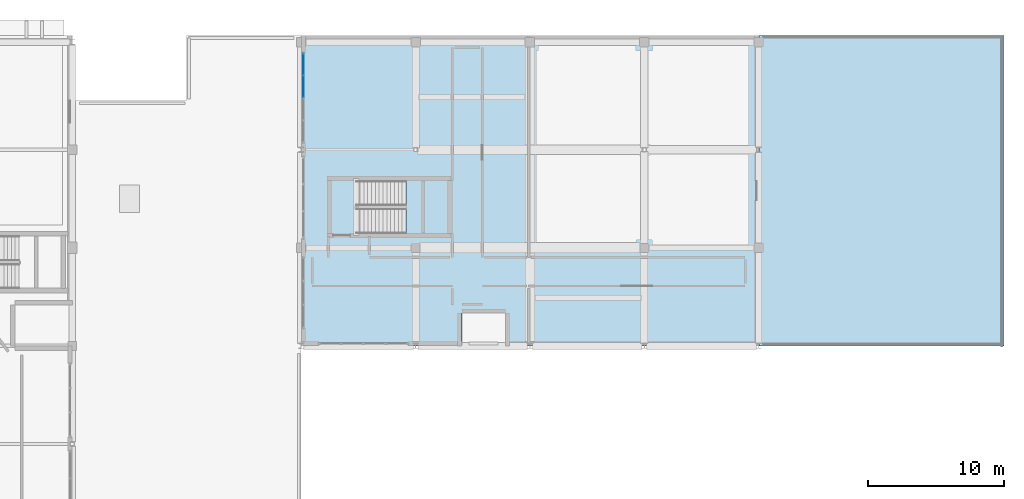
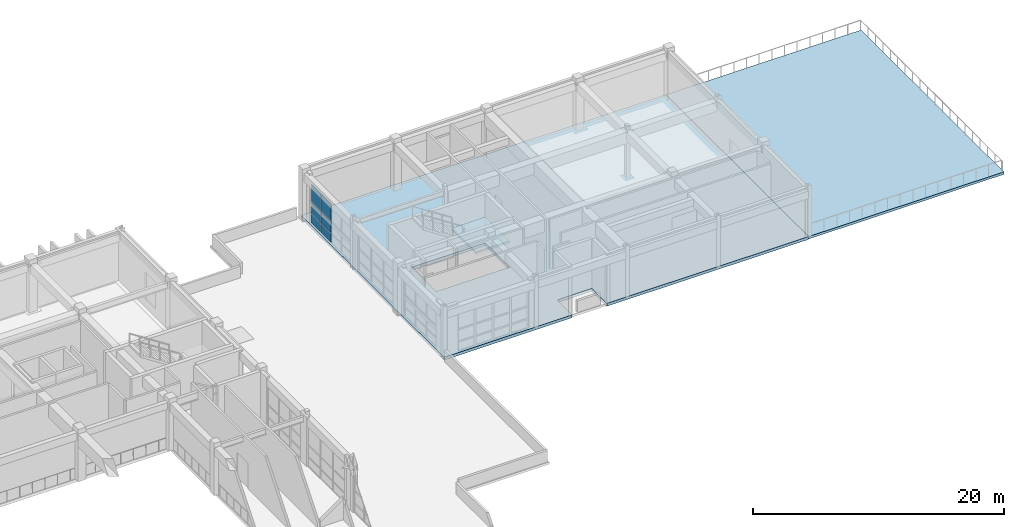
# One storey, part 55 of 78: 6 plates, 3 slabs, 2 elements without a shape of their own.
"""IFC4 building model written with IfcOpenShell, lengths in metres."""

from ifc_helpers import new_model, si_unit, direction, frame, origin, origin_2d, place, context, subcontext, project, spatial, polyline, rectangle, outline, extrude, material, layer, layer_set, type_object, element, aggregate, save


model = new_model("IFC4")

# Units and contexts
model_context = context("Model", 3, precision=1e-05, world=origin(), true_north=direction((0.0, 1.0)))
body_context = subcontext(model_context, "Body", "Model", "MODEL_VIEW")
ifc_project = project(units=[si_unit("LENGTHUNIT", "METRE"), si_unit("AREAUNIT", "SQUARE_METRE"), si_unit("VOLUMEUNIT", "CUBIC_METRE"), si_unit("PLANEANGLEUNIT", "RADIAN"), si_unit("MASSUNIT", "GRAM", prefix="KILO")], contexts=[model_context])

# Site, building, storey
site_placement = place(None, origin())
site = spatial("IfcSite", under=ifc_project, at=site_placement, CompositionType="ELEMENT")
building_placement = place(site_placement, origin())
building = spatial("IfcBuilding", under=site, at=building_placement, Name="Quendrovan Civic Courthouse", CompositionType="ELEMENT")
storey_placement = place(building_placement, frame((0.0, 0.0, 10.199951171875)))
storey = spatial("IfcBuildingStorey", under=building, at=storey_placement, Name="L03", CompositionType="ELEMENT", Elevation=10.199951171875)

# Curtain wall, plates
ifc_material_1 = material(Name="Bronze anodised aluminium and low-E glass", Category="aluminium")
ifc_layer_1 = layer(ifc_material_1, 0.179931640625, Name="Bronze anodised aluminium and low-E glass")
ifc_layer_set_1 = layer_set([ifc_layer_1], Name="Bronze anodised aluminium and low-E glass")
curtain_wall_type = type_object("IfcCurtainWallType", Name="CW-U66x39", PredefinedType="USERDEFINED", material=ifc_layer_set_1)
curtain_wall_placement = place(storey_placement, origin())
curtain_wall = element("IfcCurtainWall", 1, at=curtain_wall_placement, inside=storey, type_object=curtain_wall_type, Name="L03 Unitised Hurricane Curtain Wall CW-143", ObjectType="UNITISED CURTAIN WALL", PredefinedType="USERDEFINED")
ifc_material_2 = material(Name="Laminated hurricane-impact low-E glass", Category="glass")
ifc_layer_2 = layer(ifc_material_2, 0.0419921875, Name="Laminated hurricane-impact low-E glass")
ifc_layer_set_2 = layer_set([ifc_layer_2], Name="Laminated hurricane-impact low-E glass")
plate_type = type_object("IfcPlateType", Name="CW-PNL-4", PredefinedType="CURTAIN_PANEL", material=ifc_layer_set_2)
plate_1_placement = place(storey_placement, frame((109.364990234375, 106.638916015625, 0.06494140625), z_axis=(0.0, 0.0, 1.0), x_axis=(0.0, 1.0, 0.0)))
plate_1 = element("IfcPlate", 2, at=plate_1_placement, type_object=plate_type, Name="CW-143 panel 3.1", PredefinedType="CURTAIN_PANEL", context=body_context, shape_type="SweptSolid", body=[
    extrude(rectangle(XDim=1.57568359375, YDim=0.0419921875, at=origin_2d()), origin(), (0.0, 0.0, 1.0), 0.8525390625),
])
plate_2_placement = place(storey_placement, frame((109.364990234375, 106.638916015625, 0.982421875), z_axis=(0.0, 0.0, 1.0), x_axis=(0.0, 1.0, 0.0)))
plate_2 = element("IfcPlate", 3, at=plate_2_placement, type_object=plate_type, Name="CW-143 panel 3.2", PredefinedType="CURTAIN_PANEL", context=body_context, shape_type="SweptSolid", body=[
    extrude(rectangle(XDim=1.57568359375, YDim=0.0419921875, at=origin_2d()), origin(), (0.0, 0.0, 1.0), 1.135009765625),
])
plate_3_placement = place(storey_placement, frame((109.364990234375, 106.638916015625, 2.1826171875), z_axis=(0.0, 0.0, 1.0), x_axis=(0.0, 1.0, 0.0)))
plate_3 = element("IfcPlate", 4, at=plate_3_placement, type_object=plate_type, Name="CW-143 panel 3.3", PredefinedType="CURTAIN_PANEL", context=body_context, shape_type="SweptSolid", body=[
    extrude(rectangle(XDim=1.57568359375, YDim=0.0419921875, at=origin_2d()), origin(), (0.0, 0.0, 1.0), 1.652587890625),
])
plate_4_placement = place(storey_placement, frame((109.364990234375, 108.263427734375, 0.06494140625), z_axis=(0.0, 0.0, 1.0), x_axis=(0.0, 1.0, 0.0)))
plate_4 = element("IfcPlate", 5, at=plate_4_placement, type_object=plate_type, Name="CW-143 panel 4.1", PredefinedType="CURTAIN_PANEL", context=body_context, shape_type="SweptSolid", body=[
    extrude(rectangle(XDim=1.543212890625, YDim=0.0419921875, at=origin_2d()), origin(), (0.0, 0.0, 1.0), 0.8525390625),
])
plate_5_placement = place(storey_placement, frame((109.364990234375, 108.263427734375, 0.982421875), z_axis=(0.0, 0.0, 1.0), x_axis=(0.0, 1.0, 0.0)))
plate_5 = element("IfcPlate", 6, at=plate_5_placement, type_object=plate_type, Name="CW-143 panel 4.2", PredefinedType="CURTAIN_PANEL", context=body_context, shape_type="SweptSolid", body=[
    extrude(rectangle(XDim=1.543212890625, YDim=0.0419921875, at=origin_2d()), origin(), (0.0, 0.0, 1.0), 1.135009765625),
])
plate_6_placement = place(storey_placement, frame((109.364990234375, 108.263427734375, 2.1826171875), z_axis=(0.0, 0.0, 1.0), x_axis=(0.0, 1.0, 0.0)))
plate_6 = element("IfcPlate", 7, at=plate_6_placement, type_object=plate_type, Name="CW-143 panel 4.3", PredefinedType="CURTAIN_PANEL", context=body_context, shape_type="SweptSolid", body=[
    extrude(rectangle(XDim=1.543212890625, YDim=0.0419921875, at=origin_2d()), origin(), (0.0, 0.0, 1.0), 1.652587890625),
])
aggregate(curtain_wall, [plate_1, plate_2, plate_3, plate_4, plate_5, plate_6])

# Slab
ifc_material_3 = material(Name="Post-tensioned concrete C50/60", Category="concrete")
ifc_layer_3 = layer(ifc_material_3, 0.280029296875, Name="Post-tensioned concrete C50/60")
ifc_layer_set_3 = layer_set([ifc_layer_3], Name="Post-tensioned concrete C50/60")
slab_type_1 = type_object("IfcSlabType", Name="SLB-PT-280", PredefinedType="FLOOR", material=ifc_layer_set_3)
slab_1_placement = place(storey_placement, frame((0.0, 0.0, -0.280029296875)))
element("IfcSlab", 8, at=slab_1_placement, inside=storey, type_object=slab_type_1, Name="L03 Structural Floor Slab V1E", PredefinedType="FLOOR", context=body_context, shape_type="SweptSolid", body=[
    extrude(outline(polyline([(109.199951171875, 110.39990234375), (142.800048828125, 110.39990234375), (142.800048828125, 87.60009765625), (124.199951171875, 87.60009765625), (124.199951171875, 90.0), (121.0, 90.0), (121.0, 87.60009765625), (109.199951171875, 87.60009765625), (109.199951171875, 110.39990234375)]), holes=[polyline([(120.0, 95.85009765625), (120.0, 99.72998046875), (113.25, 99.72998046875), (113.25, 95.85009765625), (120.0, 95.85009765625)])]), origin(), (0.0, 0.0, 1.0), 0.280029296875),
])

# Stair, slab
ifc_material_4 = material(Name="Concrete C40/50", Category="concrete")
stair_type = type_object("IfcStairType", Name="STR-CORE-5100", PredefinedType="HALF_TURN_STAIR", material=ifc_material_4)
stair_placement = place(storey_placement, origin())
stair = element("IfcStair", 9, at=stair_placement, inside=storey, type_object=stair_type, Name="L03 Ceremonial Pavilion Exit Stair 6", PredefinedType="HALF_TURN_STAIR")
ifc_layer_4 = layer(ifc_material_4, 0.199951171875, Name="Concrete C40/50")
ifc_layer_set_4 = layer_set([ifc_layer_4], Name="Concrete C40/50")
slab_type_2 = type_object("IfcSlabType", Name="SLB-STAIR-LND200", PredefinedType="LANDING", material=ifc_layer_set_4)
slab_2_placement = place(storey_placement, frame((0.0, 0.0, 2.35009765625)))
slab_2 = element("IfcSlab", 10, at=slab_2_placement, type_object=slab_type_2, Name="ST6 landing 1", PredefinedType="LANDING", context=body_context, shape_type="SweptSolid", body=[
    extrude(outline(polyline([(116.889892578125, 95.85009765625), (120.0, 95.85009765625), (120.0, 99.72998046875), (116.889892578125, 99.72998046875), (116.889892578125, 95.85009765625)])), origin(), (0.0, 0.0, 1.0), 0.199951171875),
])
aggregate(stair, [slab_2])

# Slab
ifc_layer_5 = layer(ifc_material_4, 0.239990234375, Name="Concrete C40/50")
ifc_layer_set_5 = layer_set([ifc_layer_5], Name="Concrete C40/50")
slab_type_3 = type_object("IfcSlabType", Name="SLB-TER-240", PredefinedType="FLOOR", material=ifc_layer_set_5)
slab_3_placement = place(storey_placement, frame((0.0, 0.0, -0.239990234375)))
element("IfcSlab", 11, at=slab_3_placement, inside=storey, type_object=slab_type_3, Name="L03 Exterior Judicial Terrace Slab TER-L03-EAST", PredefinedType="FLOOR", context=body_context, shape_type="SweptSolid", body=[
    extrude(outline(polyline([(160.800048828125, 87.60009765625), (160.800048828125, 110.39990234375), (142.800048828125, 110.39990234375), (142.800048828125, 87.60009765625), (160.800048828125, 87.60009765625)])), origin(), (0.0, 0.0, 1.0), 0.239990234375),
])

save(model, "model.ifc")
